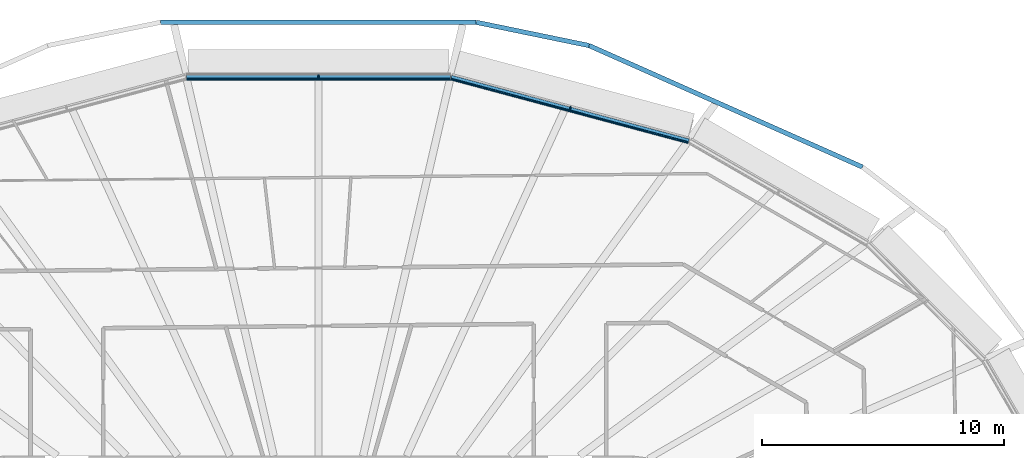
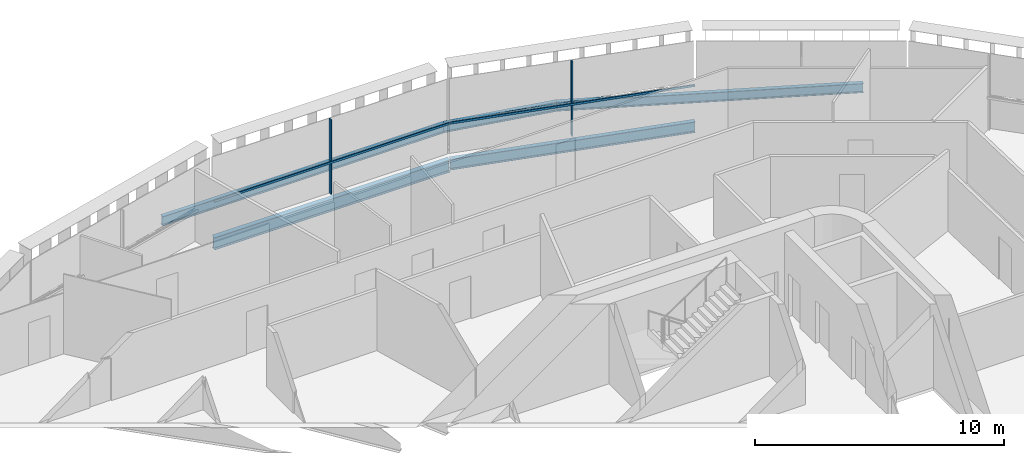
# One storey, part 11 of 26: 5 beams, 4 members, 2 elements without a shape of their own.
"""IFC4 building model written with IfcOpenShell, lengths in metres."""

from ifc_helpers import new_model, si_unit, direction, frame, origin, origin_2d, place, context, subcontext, project, spatial, rectangle, i_section, extrude, material, layer, layer_set, material_profile, profile_set, type_object, element, aggregate, save


model = new_model("IFC4")

# Units and contexts
model_context = context("Model", 3, precision=1e-05, world=origin(), true_north=direction((0.0, 1.0)))
body_context = subcontext(model_context, "Body", "Model", "MODEL_VIEW")
ifc_project = project(units=[si_unit("LENGTHUNIT", "METRE"), si_unit("AREAUNIT", "SQUARE_METRE"), si_unit("VOLUMEUNIT", "CUBIC_METRE"), si_unit("PLANEANGLEUNIT", "RADIAN"), si_unit("MASSUNIT", "GRAM", prefix="KILO")], contexts=[model_context])

# Site, building, storey
site_placement = place(None, origin())
site = spatial("IfcSite", under=ifc_project, at=site_placement, CompositionType="ELEMENT")
building_placement = place(site_placement, origin())
building = spatial("IfcBuilding", under=site, at=building_placement, Name="Sahrelin Media Tower", CompositionType="ELEMENT")
storey_placement = place(building_placement, frame((0.0, 0.0, 92.39990234375)))
storey = spatial("IfcBuildingStorey", under=building, at=storey_placement, Name="L17", CompositionType="ELEMENT", Elevation=92.39990234375)

# Beams
ifc_material_1 = material(Name="Steel S355", Category="steel")
ifc_material_profile_1 = material_profile(ifc_material_1, i_section(OverallWidth=0.208740234375, OverallDepth=0.5283203125, WebThickness=0.009521484375, FlangeThickness=0.01318359375, FilletRadius=0.0126953125, at=origin_2d()), Name="UB 533x210x82")
ifc_profile_set_1 = profile_set([ifc_material_profile_1], Name="Steel S355")
beam_type_1 = type_object("IfcBeamType", Name="Edge beam EB6", PredefinedType="BEAM", material=ifc_profile_set_1)
beam_1_placement = place(storey_placement, frame((5.48828125, 23.632568359375, -0.4140625), z_axis=(0.965923284876, -0.258828529599, 0.0), x_axis=(0.258828529599, 0.965923284876, 0.0)))
element("IfcBeam", 1, at=beam_1_placement, inside=storey, type_object=beam_type_1, Name="Edge beam L17-20", PredefinedType="BEAM", context=body_context, shape_type="SweptSolid", body=[
    extrude(i_section(OverallWidth=0.208740234375, OverallDepth=0.5283203125, WebThickness=0.009521484375, FlangeThickness=0.01318359375, FilletRadius=0.0126953125, at=origin_2d()), origin(), (0.0, 0.0, 1.0), 10.16455078125),
])
ifc_material_profile_2 = material_profile(ifc_material_1, i_section(OverallWidth=0.2275390625, OverallDepth=0.6025390625, WebThickness=0.010498046875, FlangeThickness=0.014892578125, FilletRadius=0.0126953125, at=origin_2d()), Name="UB 610x229x101")
ifc_profile_set_2 = profile_set([ifc_material_profile_2], Name="Steel S355")
beam_type_2 = type_object("IfcBeamType", Name="Edge beam EB7", PredefinedType="BEAM", material=ifc_profile_set_2)
beam_2_placement = place(storey_placement, frame((-5.459716796875, 23.63623046875, -0.451171875), z_axis=(1.0, 0.0, 0.0), x_axis=(0.0, 1.0, 0.0)))
element("IfcBeam", 2, at=beam_2_placement, inside=storey, type_object=beam_type_2, Name="Edge beam L17-19", PredefinedType="BEAM", context=body_context, shape_type="SweptSolid", body=[
    extrude(i_section(OverallWidth=0.2275390625, OverallDepth=0.6025390625, WebThickness=0.010498046875, FlangeThickness=0.014892578125, FilletRadius=0.0126953125, at=origin_2d()), origin(), (0.0, 0.0, 1.0), 10.91943359375),
])

# Curtain wall, member
ifc_material_2 = material(Name="Champagne anodised aluminium 6063-T6", Category="aluminium")
ifc_layer = layer(ifc_material_2, 0.14990234375)
ifc_layer_set = layer_set([ifc_layer], Name="Tower ribbon curtain wall")
curtain_wall_type = type_object("IfcCurtainWallType", Name="Tower ribbon curtain wall", PredefinedType="NOTDEFINED", material=ifc_layer_set)
curtain_wall_1_placement = place(storey_placement, frame((10.436279296875, 22.4619140625, 0.0), z_axis=(0.0, 0.0, 1.0), x_axis=(1.0, 0.0, 0.0)))
curtain_wall_1 = element("IfcCurtainWall", 3, at=curtain_wall_1_placement, inside=storey, type_object=curtain_wall_type, Name="L17:CW:L17-05", PredefinedType="NOTDEFINED")
ifc_material_profile_3 = material_profile(ifc_material_2, rectangle(XDim=0.06005859375, YDim=0.14990234375, at=origin_2d()), Name="Mullion 60x150")
ifc_profile_set_3 = profile_set([ifc_material_profile_3], Name="Champagne anodised aluminium 6063-T6")
member_type_1 = type_object("IfcMemberType", Name="Mullion 60x150 CW1", PredefinedType="MULLION", material=ifc_profile_set_3)
member_1_placement = place(storey_placement, frame((10.41162109375, 22.370361328125, 0.0), z_axis=(0.0, 0.0, 1.0), x_axis=(-0.965926278012, 0.258817359244, 0.0)))
member_1 = element("IfcMember", 4, at=member_1_placement, type_object=member_type_1, Name="L17:CWM:L17-05", PredefinedType="MULLION", context=body_context, shape_type="SweptSolid", body=[
    extrude(rectangle(XDim=0.06005859375, YDim=0.14990234375, at=origin_2d()), origin(), (0.0, 0.0, 1.0), 3.648681640625),
])

curtain_wall_2_placement = place(storey_placement, frame((0.0, 23.786376953125, 0.0), z_axis=(0.0, 0.0, 1.0), x_axis=(1.0, 0.0, 0.0)))
curtain_wall_2 = element("IfcCurtainWall", 5, at=curtain_wall_2_placement, inside=storey, type_object=curtain_wall_type, Name="L17:CW:L17-06", PredefinedType="NOTDEFINED")
member_2_placement = place(storey_placement, frame((0.0, 23.69140625, 0.0), z_axis=(0.0, 0.0, 1.0), x_axis=(-1.0, 0.0, 0.0)))
member_2 = element("IfcMember", 6, at=member_2_placement, type_object=member_type_1, Name="L17:CWM:L17-06", PredefinedType="MULLION", context=body_context, shape_type="SweptSolid", body=[
    extrude(rectangle(XDim=0.06005859375, YDim=0.14990234375, at=origin_2d()), origin(), (0.0, 0.0, 1.0), 3.648681640625),
])

# Beams
ifc_material_profile_4 = material_profile(ifc_material_1, i_section(OverallWidth=0.1904296875, OverallDepth=0.45703125, WebThickness=0.009033203125, FlangeThickness=0.014404296875, FilletRadius=0.01025390625, at=origin_2d()), Name="UB 457x191x74")
ifc_profile_set_4 = profile_set([ifc_material_profile_4], Name="Steel S355")
beam_type_3 = type_object("IfcBeamType", Name="Tie chord TC5", PredefinedType="BEAM", material=ifc_profile_set_4)
beam_3_placement = place(storey_placement, frame((22.4912109375, 19.94140625, -0.37841796875), z_axis=(-0.913831088012, 0.406094499573, 0.0), x_axis=(-0.406094499573, -0.913831088012, 0.0)))
element("IfcBeam", 7, at=beam_3_placement, inside=storey, type_object=beam_type_3, Name="Tie chord L17-04", PredefinedType="BEAM", context=body_context, shape_type="SweptSolid", body=[
    extrude(i_section(OverallWidth=0.1904296875, OverallDepth=0.45703125, WebThickness=0.009033203125, FlangeThickness=0.014404296875, FilletRadius=0.01025390625, at=origin_2d()), origin(), (0.0, 0.0, 1.0), 12.365234375),
])
beam_4_placement = place(storey_placement, frame((11.19140625, 24.962890625, -0.37841796875), z_axis=(-0.979386751897, 0.201994035084, 0.0), x_axis=(-0.201994035084, -0.979386751897, 0.0)))
element("IfcBeam", 8, at=beam_4_placement, inside=storey, type_object=beam_type_3, Name="Tie chord L17-05", PredefinedType="BEAM", context=body_context, shape_type="SweptSolid", body=[
    extrude(i_section(OverallWidth=0.1904296875, OverallDepth=0.45703125, WebThickness=0.009033203125, FlangeThickness=0.014404296875, FilletRadius=0.01025390625, at=origin_2d()), origin(), (0.0, 0.0, 1.0), 4.765625),
])
beam_5_placement = place(storey_placement, frame((6.52392578125, 25.925537109375, -0.37841796875), z_axis=(-1.0, 0.0, 0.0), x_axis=(0.0, -1.0, 0.0)))
element("IfcBeam", 9, at=beam_5_placement, inside=storey, type_object=beam_type_3, Name="Tie chord L17-06", PredefinedType="BEAM", context=body_context, shape_type="SweptSolid", body=[
    extrude(i_section(OverallWidth=0.1904296875, OverallDepth=0.45703125, WebThickness=0.009033203125, FlangeThickness=0.014404296875, FilletRadius=0.01025390625, at=origin_2d()), origin(), (0.0, 0.0, 1.0), 13.0478515625),
])

# Member
ifc_material_profile_5 = material_profile(ifc_material_2, rectangle(XDim=0.050048828125, YDim=0.10009765625, at=origin_2d()), Name="Transom 50x100")
ifc_profile_set_5 = profile_set([ifc_material_profile_5], Name="Champagne anodised aluminium 6063-T6")
member_type_2 = type_object("IfcMemberType", Name="Transom 50x100 CW1", PredefinedType="USERDEFINED", material=ifc_profile_set_5)
member_3_placement = place(storey_placement, frame((15.279541015625, 20.96240234375, 1.60009765625), z_axis=(-0.965927940896, 0.258811153154, 0.0), x_axis=(-0.258811153154, -0.965927940896, 0.0)))
member_3 = element("IfcMember", 10, at=member_3_placement, type_object=member_type_2, Name="L17:CWT:L17-05", ObjectType="TRANSOM", PredefinedType="USERDEFINED", context=body_context, shape_type="SweptSolid", body=[
    extrude(rectangle(XDim=0.050048828125, YDim=0.10009765625, at=origin_2d()), origin(), (0.0, 0.0, 1.0), 10.133056640625),
])

aggregate(curtain_wall_1, [member_1, member_3])

member_4_placement = place(storey_placement, frame((5.444091796875, 23.59130859375, 1.60009765625), z_axis=(-1.0, 0.0, 0.0), x_axis=(0.0, -1.0, 0.0)))
member_4 = element("IfcMember", 11, at=member_4_placement, type_object=member_type_2, Name="L17:CWT:L17-06", ObjectType="TRANSOM", PredefinedType="USERDEFINED", context=body_context, shape_type="SweptSolid", body=[
    extrude(rectangle(XDim=0.050048828125, YDim=0.10009765625, at=origin_2d()), origin(), (0.0, 0.0, 1.0), 10.88818359375),
])

aggregate(curtain_wall_2, [member_2, member_4])

save(model, "model.ifc")
